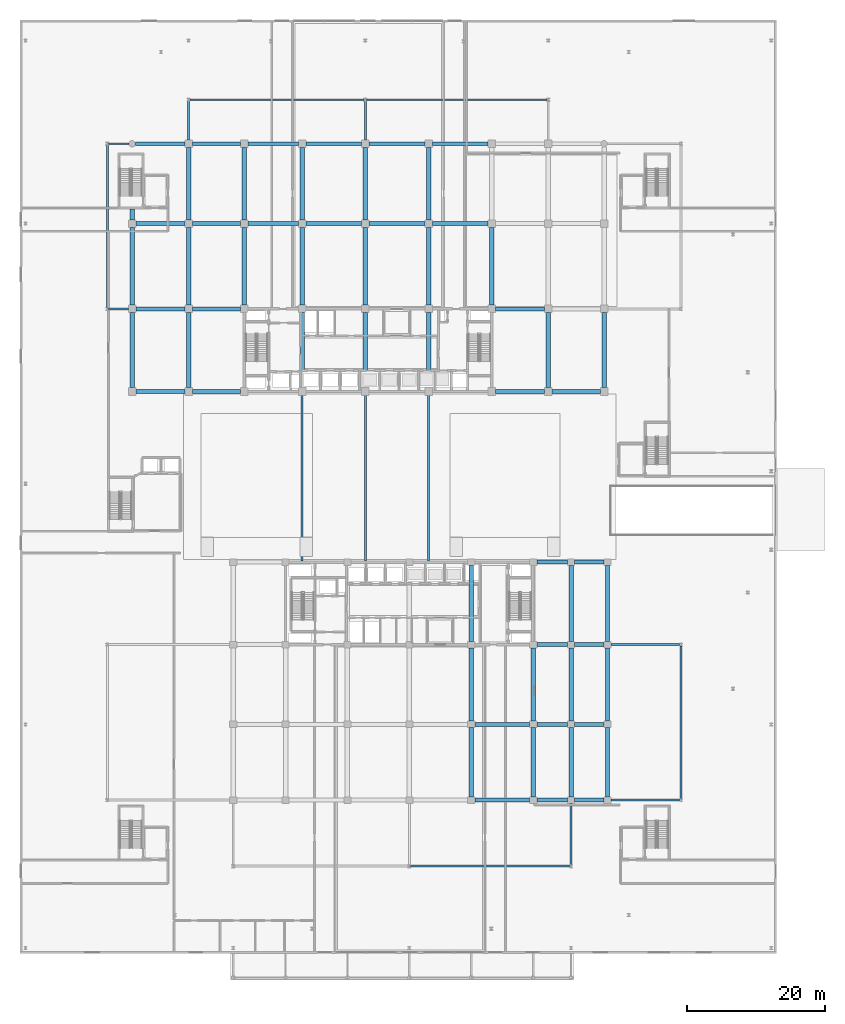
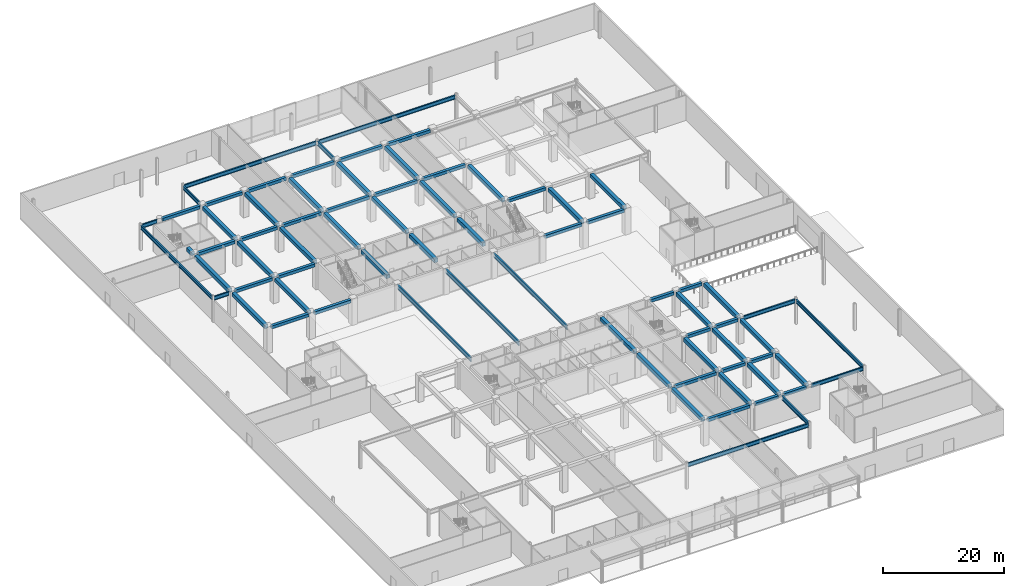
# One storey, part 15 of 46: 75 beams.
"""IFC4 building model written with IfcOpenShell, lengths in metres."""

import ifcopenshell
import ifcopenshell.guid

model = None  # the IFC model being written
_history = None  # IfcOwnerHistory: only IFC2X3 demands one
_inside = {}  # id of a spatial element -> (the spatial element, [elements in it])
_under = {}  # id of a project, library or spatial element -> (it, [spatial elements below it])
_declared = {}  # id of a project -> (the project, [libraries it declares])
_typed = {}  # id of a type object -> (the type object, [elements of that type])
_made_of = {}  # id of a material, layer set ... -> (it, [elements and type objects made of it])


def new_model(schema):
    """Start an empty IFC model of exactly this schema.

    Asked for "IFC4X3", IfcOpenShell would pick the latest addendum, in which some entities
    have other attributes; the version numbers below select the first issue.
    IFC2X3 requires an IfcOwnerHistory on every rooted entity: one is made here for all.
    """
    global model, _history
    if schema == "IFC4X3":
        model = ifcopenshell.file(schema_version=(4, 3, 0, 0))
    else:
        model = ifcopenshell.file(schema=schema)
    _inside.clear()
    _under.clear()
    _declared.clear()
    _typed.clear()
    _made_of.clear()
    _history = None
    if model.schema == "IFC2X3":
        org = make("IfcOrganization", Name="unknown")
        user = make(
            "IfcPersonAndOrganization",
            ThePerson=make("IfcPerson", FamilyName="unknown"),
            TheOrganization=org,
        )
        app = make(
            "IfcApplication",
            ApplicationDeveloper=org,
            Version="unknown",
            ApplicationFullName="unknown",
            ApplicationIdentifier="unknown",
        )
        _history = make(
            "IfcOwnerHistory",
            OwningUser=user,
            OwningApplication=app,
            ChangeAction="ADDED",
            CreationDate=0,
        )
    return model


def make(cls, **values):
    """One entity of the class cls with the attributes given. An attribute that is None is left unset."""
    return model.create_entity(
        cls, **{name: value for name, value in values.items() if value is not None}
    )


def rooted(cls, **values):
    """An entity with a GlobalId (a new one), such as an element, a storey or a relation."""
    return make(cls, GlobalId=ifcopenshell.guid.new(), OwnerHistory=_history, **values)


def si_unit(unit_type, name, prefix=None):
    """IfcSIUnit, for example si_unit("LENGTHUNIT", "METRE", prefix="MILLI")."""
    return make("IfcSIUnit", UnitType=unit_type, Prefix=prefix, Name=name)


def assignment(units):
    """IfcUnitAssignment: the units of a project."""
    return None if units is None else make("IfcUnitAssignment", Units=units)


def point(xyz):
    """IfcCartesianPoint."""
    return None if xyz is None else make("IfcCartesianPoint", Coordinates=xyz)


def direction(xyz):
    """IfcDirection."""
    return None if xyz is None else make("IfcDirection", DirectionRatios=xyz)


def frame(location, z_axis=None, x_axis=None):
    """IfcAxis2Placement3D, a coordinate frame: its origin and axes. An axis left out is left unset."""
    return make(
        "IfcAxis2Placement3D",
        Location=point(location),
        Axis=direction(z_axis),
        RefDirection=direction(x_axis),
    )


def frame_2d(location, x_axis=None):
    """IfcAxis2Placement2D, a coordinate frame in the plane: its origin and x axis."""
    return make(
        "IfcAxis2Placement2D", Location=point(location), RefDirection=direction(x_axis)
    )


def origin():
    """The frame at (0, 0, 0) with its axes left unset."""
    return frame((0.0, 0.0, 0.0))


def origin_2d():
    """The frame at (0, 0) in the plane with its x axis left unset."""
    return frame_2d((0.0, 0.0))


def place(relative_to, where):
    """IfcLocalPlacement: puts the frame where relative to a parent placement (None: the world)."""
    return make(
        "IfcLocalPlacement", PlacementRelTo=relative_to, RelativePlacement=where
    )


def context(
    kind, dimensions, precision=None, world=None, true_north=None, identifier=None
):
    """IfcGeometricRepresentationContext, for example the 3D "Model" context."""
    return make(
        "IfcGeometricRepresentationContext",
        ContextIdentifier=identifier,
        ContextType=kind,
        CoordinateSpaceDimension=dimensions,
        Precision=precision,
        WorldCoordinateSystem=world,
        TrueNorth=true_north,
    )


def subcontext(parent, identifier, kind, view, scale=None):
    """IfcGeometricRepresentationSubContext, for example "Body" below "Model"."""
    return make(
        "IfcGeometricRepresentationSubContext",
        ContextIdentifier=identifier,
        ContextType=kind,
        ParentContext=parent,
        TargetScale=scale,
        TargetView=view,
    )


def project(units=None, contexts=None):
    """IfcProject with its units and contexts."""
    return rooted(
        "IfcProject",
        Name="project",
        RepresentationContexts=contexts,
        UnitsInContext=assignment(units),
    )


def spatial(cls, under=None, at=None, **own):
    """A site, building, storey or space (cls), placed at a placement, below another one or the project."""
    s = rooted(cls, ObjectPlacement=at, **own)
    if under is not None:
        _under.setdefault(under.id(), (under, []))[1].append(s)
    return s


def profile(cls, at=None, kind="AREA", **sizes):
    """A parametric profile (cls). Its sizes go by their IFC names, for example OverallWidth=200.0."""
    return make(cls, ProfileType=kind, Position=at, **sizes)


def rectangle(**sizes):
    """IfcRectangleProfileDef."""
    return profile("IfcRectangleProfileDef", **sizes)


def i_section(**sizes):
    """IfcIShapeProfileDef."""
    return profile("IfcIShapeProfileDef", **sizes)


def extrude(swept, where, along, depth):
    """IfcExtrudedAreaSolid: the profile swept, set in the frame where, extruded along a direction by depth."""
    return make(
        "IfcExtrudedAreaSolid",
        SweptArea=swept,
        Position=where,
        ExtrudedDirection=direction(along),
        Depth=depth,
    )


def shape(context_of_items, identifier, shape_type, items):
    """IfcShapeRepresentation: the items that make up one representation, for example the "Body"."""
    return make(
        "IfcShapeRepresentation",
        ContextOfItems=context_of_items,
        RepresentationIdentifier=identifier,
        RepresentationType=shape_type,
        Items=items,
    )


def material(Name=None, Category=None):
    """IfcMaterial."""
    return make("IfcMaterial", Name=Name, Category=Category)


def material_profile(
    of_material, cross_section, Name=None, Category=None, Priority=None
):
    """IfcMaterialProfile: a cross section and its material."""
    return make(
        "IfcMaterialProfile",
        Name=Name,
        Material=of_material,
        Profile=cross_section,
        Priority=Priority,
        Category=Category,
    )


def profile_set(profiles, Name=None, composite=None):
    """IfcMaterialProfileSet."""
    return make(
        "IfcMaterialProfileSet",
        Name=Name,
        MaterialProfiles=profiles,
        CompositeProfile=composite,
    )


def made_of(thing, what):
    """Note that an element or type object is made of a material, layer set ...; save() writes the relation."""
    if what is not None:
        _made_of.setdefault(what.id(), (what, []))[1].append(thing)
    return thing


def type_object(cls, material=None, **own):
    """A type object (cls), such as IfcWallType, which elements share."""
    return made_of(rooted(cls, **own), material)


def element(
    cls,
    number,
    at=None,
    inside=None,
    cuts=None,
    type_object=None,
    material=None,
    context=None,
    identifier="Body",
    shape_type=None,
    held_by="IfcProductDefinitionShape",
    body=None,
    shapes=None,
    **own,
):
    """One element of the class cls, such as IfcWall. Its Tag is "e" and its number.

    at: its placement. inside: the storey or other place that contains it. cuts: it is an
    opening in that element (IfcRelVoidsElement). A single representation is given by context,
    identifier, shape_type and body (its items); several are given by shapes. held_by: the class
    of the entity that holds the representations. save() writes the other relations.
    """
    e = rooted(cls, Tag="e%d" % number, ObjectPlacement=at, **own)
    if body is not None:
        shapes = [shape(context, identifier, shape_type, body)]
    if shapes is not None:
        e.Representation = make(held_by, Representations=shapes)
    if inside is not None:
        _inside.setdefault(inside.id(), (inside, []))[1].append(e)
    if cuts is not None:
        rooted(
            "IfcRelVoidsElement", RelatingBuildingElement=cuts, RelatedOpeningElement=e
        )
    if type_object is not None:
        _typed.setdefault(type_object.id(), (type_object, []))[1].append(e)
    return made_of(e, material)


def aggregate(whole, parts):
    """IfcRelAggregates: a whole, such as a stair, and the parts it consists of."""
    return rooted("IfcRelAggregates", RelatingObject=whole, RelatedObjects=parts)


def save(model, path):
    """Write the relations noted so far, then the file.

    IfcRelAggregates (storeys below a building ...), IfcRelContainedInSpatialStructure (elements
    in a storey), IfcRelDefinesByType, IfcRelAssociatesMaterial and IfcRelDeclares: one each for
    every whole, place, type object, material and project.
    """
    for whole, parts in _under.values():
        aggregate(whole, parts)
    for where, things in _inside.values():
        rooted(
            "IfcRelContainedInSpatialStructure",
            RelatedElements=things,
            RelatingStructure=where,
        )
    for kind, things in _typed.values():
        rooted("IfcRelDefinesByType", RelatedObjects=things, RelatingType=kind)
    for what, things in _made_of.values():
        rooted("IfcRelAssociatesMaterial", RelatedObjects=things, RelatingMaterial=what)
    for by, libraries in _declared.values():
        rooted("IfcRelDeclares", RelatingContext=by, RelatedDefinitions=libraries)
    model.write(path)


model = new_model("IFC4")

# Units and contexts
model_context = context("Model", 3, precision=1e-05, world=origin(), true_north=direction((0.0, 1.0)))
body_context = subcontext(model_context, "Body", "Model", "MODEL_VIEW")
ifc_project = project(units=[si_unit("LENGTHUNIT", "METRE"), si_unit("AREAUNIT", "SQUARE_METRE"), si_unit("VOLUMEUNIT", "CUBIC_METRE"), si_unit("PLANEANGLEUNIT", "RADIAN"), si_unit("MASSUNIT", "GRAM", prefix="KILO")], contexts=[model_context])

# Site, building, storey
site_placement = place(None, origin())
site = spatial("IfcSite", under=ifc_project, at=site_placement, CompositionType="ELEMENT")
building_placement = place(site_placement, origin())
building = spatial("IfcBuilding", under=site, at=building_placement, Name="Korimba Cascade Residences", CompositionType="ELEMENT")
storey_placement = place(building_placement, origin())
storey = spatial("IfcBuildingStorey", under=building, at=storey_placement, Name="L00", CompositionType="ELEMENT", Elevation=0.0)

# Beams
ifc_material_1 = material(Name="Concrete C50/60", Category="concrete")
ifc_material_profile_1 = material_profile(ifc_material_1, rectangle(XDim=0.550048828125, YDim=0.60009765625, at=origin_2d()), Name="Concrete C50/60")
ifc_profile_set_1 = profile_set([ifc_material_profile_1], Name="Concrete C50/60")
beam_type_1 = type_object("IfcBeamType", Name="BM-RC-B600", PredefinedType="BEAM", material=ifc_profile_set_1)
beam_1_placement = place(storey_placement, frame((60.35009765625, 55.199951171875, 4.800048828125), z_axis=(1.0, 0.0, 0.0), x_axis=(0.0, 1.0, 0.0)))
element("IfcBeam", 1, at=beam_1_placement, inside=storey, type_object=beam_type_1, Name="L00 T1 E-W Girder Y1 Bay 1", PredefinedType="BEAM", context=body_context, shape_type="SweptSolid", body=[
    extrude(rectangle(XDim=0.550048828125, YDim=0.60009765625, at=origin_2d()), origin(), (0.0, 0.0, 1.0), 7.099853515625),
])
beam_2_placement = place(storey_placement, frame((68.550048828125, 55.199951171875, 4.800048828125), z_axis=(1.0, 0.0, 0.0), x_axis=(0.0, 1.0, 0.0)))
element("IfcBeam", 2, at=beam_2_placement, inside=storey, type_object=beam_type_1, Name="L00 T1 E-W Girder Y1 Bay 2", PredefinedType="BEAM", context=body_context, shape_type="SweptSolid", body=[
    extrude(rectangle(XDim=0.550048828125, YDim=0.60009765625, at=origin_2d()), origin(), (0.0, 0.0, 1.0), 7.0),
])
beam_3_placement = place(storey_placement, frame((112.64990234375, 55.199951171875, 4.800048828125), z_axis=(1.0, 0.0, 0.0), x_axis=(0.0, 1.0, 0.0)))
element("IfcBeam", 3, at=beam_3_placement, inside=storey, type_object=beam_type_1, Name="L00 T1 E-W Girder Y1 Bay 7", PredefinedType="BEAM", context=body_context, shape_type="SweptSolid", body=[
    extrude(rectangle(XDim=0.550048828125, YDim=0.60009765625, at=origin_2d()), origin(), (0.0, 0.0, 1.0), 7.10009765625),
])
beam_4_placement = place(storey_placement, frame((120.85009765625, 55.199951171875, 4.800048828125), z_axis=(1.0, 0.0, 0.0), x_axis=(0.0, 1.0, 0.0)))
element("IfcBeam", 4, at=beam_4_placement, inside=storey, type_object=beam_type_1, Name="L00 T1 E-W Girder Y1 Bay 8", PredefinedType="BEAM", context=body_context, shape_type="SweptSolid", body=[
    extrude(rectangle(XDim=0.550048828125, YDim=0.60009765625, at=origin_2d()), origin(), (0.0, 0.0, 1.0), 7.0),
])
beam_5_placement = place(storey_placement, frame((60.35009765625, 67.199951171875, 4.800048828125), z_axis=(1.0, 0.0, 0.0), x_axis=(0.0, 1.0, 0.0)))
element("IfcBeam", 5, at=beam_5_placement, inside=storey, type_object=beam_type_1, Name="L00 T1 E-W Girder Y2 Bay 1", PredefinedType="BEAM", context=body_context, shape_type="SweptSolid", body=[
    extrude(rectangle(XDim=0.550048828125, YDim=0.60009765625, at=origin_2d()), origin(), (0.0, 0.0, 1.0), 7.099853515625),
])
beam_6_placement = place(storey_placement, frame((68.550048828125, 67.199951171875, 4.800048828125), z_axis=(1.0, 0.0, 0.0), x_axis=(0.0, 1.0, 0.0)))
element("IfcBeam", 6, at=beam_6_placement, inside=storey, type_object=beam_type_1, Name="L00 T1 E-W Girder Y2 Bay 2", PredefinedType="BEAM", context=body_context, shape_type="SweptSolid", body=[
    extrude(rectangle(XDim=0.550048828125, YDim=0.60009765625, at=origin_2d()), origin(), (0.0, 0.0, 1.0), 7.0),
])
beam_7_placement = place(storey_placement, frame((112.64990234375, 67.199951171875, 4.800048828125), z_axis=(1.0, 0.0, 0.0), x_axis=(0.0, 1.0, 0.0)))
element("IfcBeam", 7, at=beam_7_placement, inside=storey, type_object=beam_type_1, Name="L00 T1 E-W Girder Y2 Bay 7", PredefinedType="BEAM", context=body_context, shape_type="SweptSolid", body=[
    extrude(rectangle(XDim=0.550048828125, YDim=0.60009765625, at=origin_2d()), origin(), (0.0, 0.0, 1.0), 7.10009765625),
])
beam_8_placement = place(storey_placement, frame((60.35009765625, 79.60009765625, 4.800048828125), z_axis=(1.0, 0.0, 0.0), x_axis=(0.0, 1.0, 0.0)))
element("IfcBeam", 8, at=beam_8_placement, inside=storey, type_object=beam_type_1, Name="L00 T1 E-W Girder Y3 Bay 1", PredefinedType="BEAM", context=body_context, shape_type="SweptSolid", body=[
    extrude(rectangle(XDim=0.550048828125, YDim=0.60009765625, at=origin_2d()), origin(), (0.0, 0.0, 1.0), 7.099853515625),
])
beam_9_placement = place(storey_placement, frame((68.550048828125, 79.60009765625, 4.800048828125), z_axis=(1.0, 0.0, 0.0), x_axis=(0.0, 1.0, 0.0)))
element("IfcBeam", 9, at=beam_9_placement, inside=storey, type_object=beam_type_1, Name="L00 T1 E-W Girder Y3 Bay 2", PredefinedType="BEAM", context=body_context, shape_type="SweptSolid", body=[
    extrude(rectangle(XDim=0.550048828125, YDim=0.60009765625, at=origin_2d()), origin(), (0.0, 0.0, 1.0), 7.0),
])
beam_10_placement = place(storey_placement, frame((76.64990234375, 79.60009765625, 4.800048828125), z_axis=(1.0, 0.0, 0.0), x_axis=(0.0, 1.0, 0.0)))
element("IfcBeam", 10, at=beam_10_placement, inside=storey, type_object=beam_type_1, Name="L00 T1 E-W Girder Y3 Bay 3", PredefinedType="BEAM", context=body_context, shape_type="SweptSolid", body=[
    extrude(rectangle(XDim=0.550048828125, YDim=0.60009765625, at=origin_2d()), origin(), (0.0, 0.0, 1.0), 7.300048828125),
])
beam_11_placement = place(storey_placement, frame((85.050048828125, 79.60009765625, 4.800048828125), z_axis=(1.0, 0.0, 0.0), x_axis=(0.0, 1.0, 0.0)))
element("IfcBeam", 11, at=beam_11_placement, inside=storey, type_object=beam_type_1, Name="L00 T1 E-W Girder Y3 Bay 4", PredefinedType="BEAM", context=body_context, shape_type="SweptSolid", body=[
    extrude(rectangle(XDim=0.550048828125, YDim=0.60009765625, at=origin_2d()), origin(), (0.0, 0.0, 1.0), 8.099853515625),
])
for number, where, z_axis, x_axis, name in (
    (12, (94.25, 79.60009765625, 4.800048828125), (1.0, 0.0, 0.0), (0.0, 1.0, 0.0), "L00 T1 E-W Girder Y3 Bay 5"),
    (13, (103.449951171875, 79.60009765625, 4.800048828125), (1.0, 0.0, 0.0), (0.0, 1.0, 0.0), "L00 T1 E-W Girder Y3 Bay 6"),
):
    element("IfcBeam", number, at=place(storey_placement, frame(where, z_axis=z_axis, x_axis=x_axis)), inside=storey, type_object=beam_type_1, Name=name, PredefinedType="BEAM", context=body_context, shape_type="SweptSolid", body=[
        extrude(rectangle(XDim=0.550048828125, YDim=0.60009765625, at=origin_2d()), origin(), (0.0, 0.0, 1.0), 8.10009765625),
    ])
beam_12_placement = place(storey_placement, frame((60.27490234375, 91.199951171875, 4.800048828125), z_axis=(1.0, 0.0, 0.0), x_axis=(0.0, 1.0, 0.0)))
element("IfcBeam", 14, at=beam_12_placement, inside=storey, type_object=beam_type_1, Name="L00 T1 E-W Girder Y4 Bay 1", PredefinedType="BEAM", context=body_context, shape_type="SweptSolid", body=[
    extrude(rectangle(XDim=0.550048828125, YDim=0.60009765625, at=origin_2d()), origin(), (0.0, 0.0, 1.0), 7.175048828125),
])
beam_13_placement = place(storey_placement, frame((68.550048828125, 91.199951171875, 4.800048828125), z_axis=(1.0, 0.0, 0.0), x_axis=(0.0, 1.0, 0.0)))
element("IfcBeam", 15, at=beam_13_placement, inside=storey, type_object=beam_type_1, Name="L00 T1 E-W Girder Y4 Bay 2", PredefinedType="BEAM", context=body_context, shape_type="SweptSolid", body=[
    extrude(rectangle(XDim=0.550048828125, YDim=0.60009765625, at=origin_2d()), origin(), (0.0, 0.0, 1.0), 7.0),
])
beam_14_placement = place(storey_placement, frame((76.64990234375, 91.199951171875, 4.800048828125), z_axis=(1.0, 0.0, 0.0), x_axis=(0.0, 1.0, 0.0)))
element("IfcBeam", 16, at=beam_14_placement, inside=storey, type_object=beam_type_1, Name="L00 T1 E-W Girder Y4 Bay 3", PredefinedType="BEAM", context=body_context, shape_type="SweptSolid", body=[
    extrude(rectangle(XDim=0.550048828125, YDim=0.60009765625, at=origin_2d()), origin(), (0.0, 0.0, 1.0), 7.300048828125),
])
beam_15_placement = place(storey_placement, frame((85.050048828125, 91.199951171875, 4.800048828125), z_axis=(1.0, 0.0, 0.0), x_axis=(0.0, 1.0, 0.0)))
element("IfcBeam", 17, at=beam_15_placement, inside=storey, type_object=beam_type_1, Name="L00 T1 E-W Girder Y4 Bay 4", PredefinedType="BEAM", context=body_context, shape_type="SweptSolid", body=[
    extrude(rectangle(XDim=0.550048828125, YDim=0.60009765625, at=origin_2d()), origin(), (0.0, 0.0, 1.0), 8.099853515625),
])
for number, where, z_axis, x_axis, name in (
    (18, (94.25, 91.199951171875, 4.800048828125), (1.0, 0.0, 0.0), (0.0, 1.0, 0.0), "L00 T1 E-W Girder Y4 Bay 5"),
    (19, (103.449951171875, 91.199951171875, 4.800048828125), (1.0, 0.0, 0.0), (0.0, 1.0, 0.0), "L00 T1 E-W Girder Y4 Bay 6"),
):
    element("IfcBeam", number, at=place(storey_placement, frame(where, z_axis=z_axis, x_axis=x_axis)), inside=storey, type_object=beam_type_1, Name=name, PredefinedType="BEAM", context=body_context, shape_type="SweptSolid", body=[
        extrude(rectangle(XDim=0.550048828125, YDim=0.60009765625, at=origin_2d()), origin(), (0.0, 0.0, 1.0), 8.10009765625),
    ])
beam_16_placement = place(storey_placement, frame((109.625, -4.199951171875, 4.800048828125), z_axis=(1.0, 0.0, 0.0), x_axis=(0.0, 1.0, 0.0)))
element("IfcBeam", 20, at=beam_16_placement, inside=storey, type_object=beam_type_1, Name="L00 T2 E-W Girder Y1 Bay 5", PredefinedType="BEAM", context=body_context, shape_type="SweptSolid", body=[
    extrude(rectangle(XDim=0.550048828125, YDim=0.60009765625, at=origin_2d()), origin(), (0.0, 0.0, 1.0), 7.949951171875),
])
beam_17_placement = place(storey_placement, frame((118.625, -4.199951171875, 4.800048828125), z_axis=(1.0, 0.0, 0.0), x_axis=(0.0, 1.0, 0.0)))
element("IfcBeam", 21, at=beam_17_placement, inside=storey, type_object=beam_type_1, Name="L00 T2 E-W Girder Y1 Bay 6", PredefinedType="BEAM", context=body_context, shape_type="SweptSolid", body=[
    extrude(rectangle(XDim=0.550048828125, YDim=0.60009765625, at=origin_2d()), origin(), (0.0, 0.0, 1.0), 4.449951171875),
])
beam_18_placement = place(storey_placement, frame((124.125, -4.199951171875, 4.800048828125), z_axis=(1.0, 0.0, 0.0), x_axis=(0.0, 1.0, 0.0)))
element("IfcBeam", 22, at=beam_18_placement, inside=storey, type_object=beam_type_1, Name="L00 T2 E-W Girder Y1 Bay 7", PredefinedType="BEAM", context=body_context, shape_type="SweptSolid", body=[
    extrude(rectangle(XDim=0.550048828125, YDim=0.60009765625, at=origin_2d()), origin(), (0.0, 0.0, 1.0), 4.25),
])
beam_19_placement = place(storey_placement, frame((109.625, 6.800048828125, 4.800048828125), z_axis=(1.0, 0.0, 0.0), x_axis=(0.0, 1.0, 0.0)))
element("IfcBeam", 23, at=beam_19_placement, inside=storey, type_object=beam_type_1, Name="L00 T2 E-W Girder Y2 Bay 5", PredefinedType="BEAM", context=body_context, shape_type="SweptSolid", body=[
    extrude(rectangle(XDim=0.550048828125, YDim=0.60009765625, at=origin_2d()), origin(), (0.0, 0.0, 1.0), 7.949951171875),
])
beam_20_placement = place(storey_placement, frame((118.625, 6.800048828125, 4.800048828125), z_axis=(1.0, 0.0, 0.0), x_axis=(0.0, 1.0, 0.0)))
element("IfcBeam", 24, at=beam_20_placement, inside=storey, type_object=beam_type_1, Name="L00 T2 E-W Girder Y2 Bay 6", PredefinedType="BEAM", context=body_context, shape_type="SweptSolid", body=[
    extrude(rectangle(XDim=0.550048828125, YDim=0.60009765625, at=origin_2d()), origin(), (0.0, 0.0, 1.0), 4.449951171875),
])
beam_21_placement = place(storey_placement, frame((124.125, 6.800048828125, 4.800048828125), z_axis=(1.0, 0.0, 0.0), x_axis=(0.0, 1.0, 0.0)))
element("IfcBeam", 25, at=beam_21_placement, inside=storey, type_object=beam_type_1, Name="L00 T2 E-W Girder Y2 Bay 7", PredefinedType="BEAM", context=body_context, shape_type="SweptSolid", body=[
    extrude(rectangle(XDim=0.550048828125, YDim=0.60009765625, at=origin_2d()), origin(), (0.0, 0.0, 1.0), 4.25),
])
beam_22_placement = place(storey_placement, frame((118.625, 18.39990234375, 4.800048828125), z_axis=(1.0, 0.0, 0.0), x_axis=(0.0, 1.0, 0.0)))
element("IfcBeam", 26, at=beam_22_placement, inside=storey, type_object=beam_type_1, Name="L00 T2 E-W Girder Y3 Bay 6", PredefinedType="BEAM", context=body_context, shape_type="SweptSolid", body=[
    extrude(rectangle(XDim=0.550048828125, YDim=0.60009765625, at=origin_2d()), origin(), (0.0, 0.0, 1.0), 4.449951171875),
])
beam_23_placement = place(storey_placement, frame((124.125, 18.39990234375, 4.800048828125), z_axis=(1.0, 0.0, 0.0), x_axis=(0.0, 1.0, 0.0)))
element("IfcBeam", 27, at=beam_23_placement, inside=storey, type_object=beam_type_1, Name="L00 T2 E-W Girder Y3 Bay 7", PredefinedType="BEAM", context=body_context, shape_type="SweptSolid", body=[
    extrude(rectangle(XDim=0.550048828125, YDim=0.60009765625, at=origin_2d()), origin(), (0.0, 0.0, 1.0), 4.25),
])
beam_24_placement = place(storey_placement, frame((118.625, 30.39990234375, 4.800048828125), z_axis=(1.0, 0.0, 0.0), x_axis=(0.0, 1.0, 0.0)))
element("IfcBeam", 28, at=beam_24_placement, inside=storey, type_object=beam_type_1, Name="L00 T2 E-W Girder Y4 Bay 6", PredefinedType="BEAM", context=body_context, shape_type="SweptSolid", body=[
    extrude(rectangle(XDim=0.550048828125, YDim=0.60009765625, at=origin_2d()), origin(), (0.0, 0.0, 1.0), 4.449951171875),
])
beam_25_placement = place(storey_placement, frame((124.125, 30.39990234375, 4.800048828125), z_axis=(1.0, 0.0, 0.0), x_axis=(0.0, 1.0, 0.0)))
element("IfcBeam", 29, at=beam_25_placement, inside=storey, type_object=beam_type_1, Name="L00 T2 E-W Girder Y4 Bay 7", PredefinedType="BEAM", context=body_context, shape_type="SweptSolid", body=[
    extrude(rectangle(XDim=0.550048828125, YDim=0.60009765625, at=origin_2d()), origin(), (0.0, 0.0, 1.0), 4.25),
])
ifc_material_profile_2 = material_profile(ifc_material_1, rectangle(XDim=0.64990234375, YDim=0.75, at=origin_2d()), Name="Concrete C50/60")
ifc_profile_set_2 = profile_set([ifc_material_profile_2], Name="Concrete C50/60")
beam_type_2 = type_object("IfcBeamType", Name="BM-RC-G750", PredefinedType="BEAM", material=ifc_profile_set_2)
beam_26_placement = place(storey_placement, frame((59.800048828125, 55.75, 4.72509765625), z_axis=(0.0, 1.0, 0.0), x_axis=(-1.0, 0.0, 0.0)))
element("IfcBeam", 30, at=beam_26_placement, inside=storey, type_object=beam_type_2, Name="L00 T1 N-S Girder X1 Seg 1", PredefinedType="BEAM", context=body_context, shape_type="SweptSolid", body=[
    extrude(rectangle(XDim=0.64990234375, YDim=0.75, at=origin_2d()), origin(), (0.0, 0.0, 1.0), 10.89990234375),
])
beam_27_placement = place(storey_placement, frame((59.800048828125, 67.75, 4.72509765625), z_axis=(0.0, 1.0, 0.0), x_axis=(-1.0, 0.0, 0.0)))
element("IfcBeam", 31, at=beam_27_placement, inside=storey, type_object=beam_type_2, Name="L00 T1 N-S Girder X1 Seg 2", PredefinedType="BEAM", context=body_context, shape_type="SweptSolid", body=[
    extrude(rectangle(XDim=0.64990234375, YDim=0.75, at=origin_2d()), origin(), (0.0, 0.0, 1.0), 11.300048828125),
])
beam_28_placement = place(storey_placement, frame((59.800048828125, 80.14990234375, 4.72509765625), z_axis=(0.0, 1.0, 0.0), x_axis=(-1.0, 0.0, 0.0)))
element("IfcBeam", 32, at=beam_28_placement, inside=storey, type_object=beam_type_2, Name="L00 T1 N-S Girder X1 Seg 3", PredefinedType="BEAM", context=body_context, shape_type="SweptSolid", body=[
    extrude(rectangle(XDim=0.64990234375, YDim=0.75, at=origin_2d()), origin(), (0.0, 0.0, 1.0), 1.550048828125),
])
beam_29_placement = place(storey_placement, frame((68.0, 55.75, 4.72509765625), z_axis=(0.0, 1.0, 0.0), x_axis=(-1.0, 0.0, 0.0)))
element("IfcBeam", 33, at=beam_29_placement, inside=storey, type_object=beam_type_2, Name="L00 T1 N-S Girder X2 Seg 1", PredefinedType="BEAM", context=body_context, shape_type="SweptSolid", body=[
    extrude(rectangle(XDim=0.64990234375, YDim=0.75, at=origin_2d()), origin(), (0.0, 0.0, 1.0), 10.89990234375),
])
beam_30_placement = place(storey_placement, frame((68.0, 67.75, 4.72509765625), z_axis=(0.0, 1.0, 0.0), x_axis=(-1.0, 0.0, 0.0)))
element("IfcBeam", 34, at=beam_30_placement, inside=storey, type_object=beam_type_2, Name="L00 T1 N-S Girder X2 Seg 2", PredefinedType="BEAM", context=body_context, shape_type="SweptSolid", body=[
    extrude(rectangle(XDim=0.64990234375, YDim=0.75, at=origin_2d()), origin(), (0.0, 0.0, 1.0), 11.300048828125),
])
beam_31_placement = place(storey_placement, frame((68.0, 80.14990234375, 4.72509765625), z_axis=(0.0, 1.0, 0.0), x_axis=(-1.0, 0.0, 0.0)))
element("IfcBeam", 35, at=beam_31_placement, inside=storey, type_object=beam_type_2, Name="L00 T1 N-S Girder X2 Seg 3", PredefinedType="BEAM", context=body_context, shape_type="SweptSolid", body=[
    extrude(rectangle(XDim=0.64990234375, YDim=0.75, at=origin_2d()), origin(), (0.0, 0.0, 1.0), 10.5),
])
beam_32_placement = place(storey_placement, frame((76.10009765625, 67.75, 4.72509765625), z_axis=(0.0, 1.0, 0.0), x_axis=(-1.0, 0.0, 0.0)))
element("IfcBeam", 36, at=beam_32_placement, inside=storey, type_object=beam_type_2, Name="L00 T1 N-S Girder X3 Seg 2", PredefinedType="BEAM", context=body_context, shape_type="SweptSolid", body=[
    extrude(rectangle(XDim=0.64990234375, YDim=0.75, at=origin_2d()), origin(), (0.0, 0.0, 1.0), 11.300048828125),
])
beam_33_placement = place(storey_placement, frame((76.10009765625, 80.14990234375, 4.72509765625), z_axis=(0.0, 1.0, 0.0), x_axis=(-1.0, 0.0, 0.0)))
element("IfcBeam", 37, at=beam_33_placement, inside=storey, type_object=beam_type_2, Name="L00 T1 N-S Girder X3 Seg 3", PredefinedType="BEAM", context=body_context, shape_type="SweptSolid", body=[
    extrude(rectangle(XDim=0.64990234375, YDim=0.75, at=origin_2d()), origin(), (0.0, 0.0, 1.0), 10.5),
])
beam_34_placement = place(storey_placement, frame((84.5, 58.159912109375, 4.72509765625), z_axis=(0.0, 1.0, 0.0), x_axis=(-1.0, 0.0, 0.0)))
element("IfcBeam", 38, at=beam_34_placement, inside=storey, type_object=beam_type_2, Name="L00 T1 N-S Girder X4 Seg 1", PredefinedType="BEAM", context=body_context, shape_type="SweptSolid", body=[
    extrude(rectangle(XDim=0.64990234375, YDim=0.75, at=origin_2d()), origin(), (0.0, 0.0, 1.0), 8.489990234375),
])
beam_35_placement = place(storey_placement, frame((84.5, 67.75, 4.72509765625), z_axis=(0.0, 1.0, 0.0), x_axis=(-1.0, 0.0, 0.0)))
element("IfcBeam", 39, at=beam_35_placement, inside=storey, type_object=beam_type_2, Name="L00 T1 N-S Girder X4 Seg 2", PredefinedType="BEAM", context=body_context, shape_type="SweptSolid", body=[
    extrude(rectangle(XDim=0.64990234375, YDim=0.75, at=origin_2d()), origin(), (0.0, 0.0, 1.0), 11.300048828125),
])
beam_36_placement = place(storey_placement, frame((84.5, 80.14990234375, 4.72509765625), z_axis=(0.0, 1.0, 0.0), x_axis=(-1.0, 0.0, 0.0)))
element("IfcBeam", 40, at=beam_36_placement, inside=storey, type_object=beam_type_2, Name="L00 T1 N-S Girder X4 Seg 3", PredefinedType="BEAM", context=body_context, shape_type="SweptSolid", body=[
    extrude(rectangle(XDim=0.64990234375, YDim=0.75, at=origin_2d()), origin(), (0.0, 0.0, 1.0), 10.5),
])
beam_37_placement = place(storey_placement, frame((93.699951171875, 58.159912109375, 4.72509765625), z_axis=(0.0, 1.0, 0.0), x_axis=(-1.0, 0.0, 0.0)))
element("IfcBeam", 41, at=beam_37_placement, inside=storey, type_object=beam_type_2, Name="L00 T1 N-S Girder X5 Seg 1", PredefinedType="BEAM", context=body_context, shape_type="SweptSolid", body=[
    extrude(rectangle(XDim=0.64990234375, YDim=0.75, at=origin_2d()), origin(), (0.0, 0.0, 1.0), 8.489990234375),
])
beam_38_placement = place(storey_placement, frame((93.699951171875, 67.75, 4.72509765625), z_axis=(0.0, 1.0, 0.0), x_axis=(-1.0, 0.0, 0.0)))
element("IfcBeam", 42, at=beam_38_placement, inside=storey, type_object=beam_type_2, Name="L00 T1 N-S Girder X5 Seg 2", PredefinedType="BEAM", context=body_context, shape_type="SweptSolid", body=[
    extrude(rectangle(XDim=0.64990234375, YDim=0.75, at=origin_2d()), origin(), (0.0, 0.0, 1.0), 11.300048828125),
])
beam_39_placement = place(storey_placement, frame((93.699951171875, 80.14990234375, 4.72509765625), z_axis=(0.0, 1.0, 0.0), x_axis=(-1.0, 0.0, 0.0)))
element("IfcBeam", 43, at=beam_39_placement, inside=storey, type_object=beam_type_2, Name="L00 T1 N-S Girder X5 Seg 3", PredefinedType="BEAM", context=body_context, shape_type="SweptSolid", body=[
    extrude(rectangle(XDim=0.64990234375, YDim=0.75, at=origin_2d()), origin(), (0.0, 0.0, 1.0), 10.5),
])
beam_40_placement = place(storey_placement, frame((102.89990234375, 58.260009765625, 4.72509765625), z_axis=(0.0, 1.0, 0.0), x_axis=(-1.0, 0.0, 0.0)))
element("IfcBeam", 44, at=beam_40_placement, inside=storey, type_object=beam_type_2, Name="L00 T1 N-S Girder X6 Seg 1", PredefinedType="BEAM", context=body_context, shape_type="SweptSolid", body=[
    extrude(rectangle(XDim=0.64990234375, YDim=0.75, at=origin_2d()), origin(), (0.0, 0.0, 1.0), 8.389892578125),
])
beam_41_placement = place(storey_placement, frame((102.89990234375, 67.75, 4.72509765625), z_axis=(0.0, 1.0, 0.0), x_axis=(-1.0, 0.0, 0.0)))
element("IfcBeam", 45, at=beam_41_placement, inside=storey, type_object=beam_type_2, Name="L00 T1 N-S Girder X6 Seg 2", PredefinedType="BEAM", context=body_context, shape_type="SweptSolid", body=[
    extrude(rectangle(XDim=0.64990234375, YDim=0.75, at=origin_2d()), origin(), (0.0, 0.0, 1.0), 11.300048828125),
])
beam_42_placement = place(storey_placement, frame((102.89990234375, 80.14990234375, 4.72509765625), z_axis=(0.0, 1.0, 0.0), x_axis=(-1.0, 0.0, 0.0)))
element("IfcBeam", 46, at=beam_42_placement, inside=storey, type_object=beam_type_2, Name="L00 T1 N-S Girder X6 Seg 3", PredefinedType="BEAM", context=body_context, shape_type="SweptSolid", body=[
    extrude(rectangle(XDim=0.64990234375, YDim=0.75, at=origin_2d()), origin(), (0.0, 0.0, 1.0), 10.5),
])
beam_43_placement = place(storey_placement, frame((112.10009765625, 67.75, 4.72509765625), z_axis=(0.0, 1.0, 0.0), x_axis=(-1.0, 0.0, 0.0)))
element("IfcBeam", 47, at=beam_43_placement, inside=storey, type_object=beam_type_2, Name="L00 T1 N-S Girder X7 Seg 2", PredefinedType="BEAM", context=body_context, shape_type="SweptSolid", body=[
    extrude(rectangle(XDim=0.64990234375, YDim=0.75, at=origin_2d()), origin(), (0.0, 0.0, 1.0), 11.300048828125),
])
for number, where, z_axis, x_axis, name in (
    (48, (120.300048828125, 55.75, 4.72509765625), (0.0, 1.0, 0.0), (-1.0, 0.0, 0.0), "L00 T1 N-S Girder X8 Seg 1"),
    (49, (128.39990234375, 55.75, 4.72509765625), (0.0, 1.0, 0.0), (-1.0, 0.0, 0.0), "L00 T1 N-S Girder X9 Seg 1"),
):
    element("IfcBeam", number, at=place(storey_placement, frame(where, z_axis=z_axis, x_axis=x_axis)), inside=storey, type_object=beam_type_2, Name=name, PredefinedType="BEAM", context=body_context, shape_type="SweptSolid", body=[
        extrude(rectangle(XDim=0.64990234375, YDim=0.75, at=origin_2d()), origin(), (0.0, 0.0, 1.0), 10.89990234375),
    ])
beam_44_placement = place(storey_placement, frame((109.10009765625, -3.72509765625, 4.72509765625), z_axis=(0.0, 1.0, 0.0), x_axis=(-1.0, 0.0, 0.0)))
element("IfcBeam", 50, at=beam_44_placement, inside=storey, type_object=beam_type_2, Name="L00 T2 N-S Girder X5 Seg 1", PredefinedType="BEAM", context=body_context, shape_type="SweptSolid", body=[
    extrude(rectangle(XDim=0.64990234375, YDim=0.75, at=origin_2d()), origin(), (0.0, 0.0, 1.0), 10.050048828125),
])
beam_45_placement = place(storey_placement, frame((109.10009765625, 7.27490234375, 4.72509765625), z_axis=(0.0, 1.0, 0.0), x_axis=(-1.0, 0.0, 0.0)))
element("IfcBeam", 51, at=beam_45_placement, inside=storey, type_object=beam_type_2, Name="L00 T2 N-S Girder X5 Seg 2", PredefinedType="BEAM", context=body_context, shape_type="SweptSolid", body=[
    extrude(rectangle(XDim=0.64990234375, YDim=0.75, at=origin_2d()), origin(), (0.0, 0.0, 1.0), 10.650146484375),
])
beam_46_placement = place(storey_placement, frame((109.10009765625, 18.875, 4.72509765625), z_axis=(0.0, 1.0, 0.0), x_axis=(-1.0, 0.0, 0.0)))
element("IfcBeam", 52, at=beam_46_placement, inside=storey, type_object=beam_type_2, Name="L00 T2 N-S Girder X5 Seg 3", PredefinedType="BEAM", context=body_context, shape_type="SweptSolid", body=[
    extrude(rectangle(XDim=0.64990234375, YDim=0.75, at=origin_2d()), origin(), (0.0, 0.0, 1.0), 11.050048828125),
])
beam_47_placement = place(storey_placement, frame((118.10009765625, -3.72509765625, 4.72509765625), z_axis=(0.0, 1.0, 0.0), x_axis=(-1.0, 0.0, 0.0)))
element("IfcBeam", 53, at=beam_47_placement, inside=storey, type_object=beam_type_2, Name="L00 T2 N-S Girder X6 Seg 1", PredefinedType="BEAM", context=body_context, shape_type="SweptSolid", body=[
    extrude(rectangle(XDim=0.64990234375, YDim=0.75, at=origin_2d()), origin(), (0.0, 0.0, 1.0), 10.050048828125),
])
beam_48_placement = place(storey_placement, frame((118.10009765625, 7.27490234375, 4.72509765625), z_axis=(0.0, 1.0, 0.0), x_axis=(-1.0, 0.0, 0.0)))
element("IfcBeam", 54, at=beam_48_placement, inside=storey, type_object=beam_type_2, Name="L00 T2 N-S Girder X6 Seg 2", PredefinedType="BEAM", context=body_context, shape_type="SweptSolid", body=[
    extrude(rectangle(XDim=0.64990234375, YDim=0.75, at=origin_2d()), origin(), (0.0, 0.0, 1.0), 10.650146484375),
])
beam_49_placement = place(storey_placement, frame((123.60009765625, -3.72509765625, 4.72509765625), z_axis=(0.0, 1.0, 0.0), x_axis=(-1.0, 0.0, 0.0)))
element("IfcBeam", 55, at=beam_49_placement, inside=storey, type_object=beam_type_2, Name="L00 T2 N-S Girder X7 Seg 1", PredefinedType="BEAM", context=body_context, shape_type="SweptSolid", body=[
    extrude(rectangle(XDim=0.64990234375, YDim=0.75, at=origin_2d()), origin(), (0.0, 0.0, 1.0), 10.050048828125),
])
beam_50_placement = place(storey_placement, frame((123.60009765625, 7.27490234375, 4.72509765625), z_axis=(0.0, 1.0, 0.0), x_axis=(-1.0, 0.0, 0.0)))
element("IfcBeam", 56, at=beam_50_placement, inside=storey, type_object=beam_type_2, Name="L00 T2 N-S Girder X7 Seg 2", PredefinedType="BEAM", context=body_context, shape_type="SweptSolid", body=[
    extrude(rectangle(XDim=0.64990234375, YDim=0.75, at=origin_2d()), origin(), (0.0, 0.0, 1.0), 10.650146484375),
])
beam_51_placement = place(storey_placement, frame((123.60009765625, 18.875, 4.72509765625), z_axis=(0.0, 1.0, 0.0), x_axis=(-1.0, 0.0, 0.0)))
element("IfcBeam", 57, at=beam_51_placement, inside=storey, type_object=beam_type_2, Name="L00 T2 N-S Girder X7 Seg 3", PredefinedType="BEAM", context=body_context, shape_type="SweptSolid", body=[
    extrude(rectangle(XDim=0.64990234375, YDim=0.75, at=origin_2d()), origin(), (0.0, 0.0, 1.0), 11.050048828125),
])
beam_52_placement = place(storey_placement, frame((128.89990234375, -3.72509765625, 4.72509765625), z_axis=(0.0, 1.0, 0.0), x_axis=(-1.0, 0.0, 0.0)))
element("IfcBeam", 58, at=beam_52_placement, inside=storey, type_object=beam_type_2, Name="L00 T2 N-S Girder X8 Seg 1", PredefinedType="BEAM", context=body_context, shape_type="SweptSolid", body=[
    extrude(rectangle(XDim=0.64990234375, YDim=0.75, at=origin_2d()), origin(), (0.0, 0.0, 1.0), 10.050048828125),
])
beam_53_placement = place(storey_placement, frame((128.89990234375, 7.27490234375, 4.72509765625), z_axis=(0.0, 1.0, 0.0), x_axis=(-1.0, 0.0, 0.0)))
element("IfcBeam", 59, at=beam_53_placement, inside=storey, type_object=beam_type_2, Name="L00 T2 N-S Girder X8 Seg 2", PredefinedType="BEAM", context=body_context, shape_type="SweptSolid", body=[
    extrude(rectangle(XDim=0.64990234375, YDim=0.75, at=origin_2d()), origin(), (0.0, 0.0, 1.0), 10.650146484375),
])
beam_54_placement = place(storey_placement, frame((128.89990234375, 18.875, 4.72509765625), z_axis=(0.0, 1.0, 0.0), x_axis=(-1.0, 0.0, 0.0)))
element("IfcBeam", 60, at=beam_54_placement, inside=storey, type_object=beam_type_2, Name="L00 T2 N-S Girder X8 Seg 3", PredefinedType="BEAM", context=body_context, shape_type="SweptSolid", body=[
    extrude(rectangle(XDim=0.64990234375, YDim=0.75, at=origin_2d()), origin(), (0.0, 0.0, 1.0), 11.050048828125),
])
ifc_material_2 = material(Name="Steel S355", Category="steel")
ifc_material_profile_3 = material_profile(ifc_material_2, i_section(OverallWidth=0.26806640625, OverallDepth=0.769775390625, WebThickness=0.015625, FlangeThickness=0.025390625, FilletRadius=0.0166015625, at=origin_2d()), Name="Steel S355")
ifc_profile_set_3 = profile_set([ifc_material_profile_3], Name="Steel S355")
beam_type_3 = type_object("IfcBeamType", Name="BM-STL-UB762", PredefinedType="BEAM", material=ifc_profile_set_3)
beam_55_placement = place(storey_placement, frame((56.3994140625, 67.199951171875, 4.715087890625), z_axis=(1.0, 0.0, 0.0), x_axis=(0.0, 1.0, 0.0)))
element("IfcBeam", 61, at=beam_55_placement, inside=storey, type_object=beam_type_3, Name="L00 Podium Frame Girder W3", PredefinedType="BEAM", context=body_context, shape_type="SweptSolid", body=[
    extrude(i_section(OverallWidth=0.26806640625, OverallDepth=0.769775390625, WebThickness=0.015625, FlangeThickness=0.025390625, FilletRadius=0.0166015625, at=origin_2d()), origin(), (0.0, 0.0, 1.0), 2.8505859375),
])
beam_56_placement = place(storey_placement, frame((56.3994140625, 91.199951171875, 4.715087890625), z_axis=(1.0, 0.0, 0.0), x_axis=(0.0, 1.0, 0.0)))
element("IfcBeam", 62, at=beam_56_placement, inside=storey, type_object=beam_type_3, Name="L00 Podium Frame Girder W4", PredefinedType="BEAM", context=body_context, shape_type="SweptSolid", body=[
    extrude(i_section(OverallWidth=0.26806640625, OverallDepth=0.769775390625, WebThickness=0.015625, FlangeThickness=0.025390625, FilletRadius=0.0166015625, at=origin_2d()), origin(), (0.0, 0.0, 1.0), 2.925537109375),
])
beam_57_placement = place(storey_placement, frame((56.199951171875, 67.396728515625, 4.715087890625), z_axis=(0.0, 1.0, 0.0), x_axis=(-1.0, 0.0, 0.0)))
element("IfcBeam", 63, at=beam_57_placement, inside=storey, type_object=beam_type_3, Name="L00 Podium Frame Girder WS", PredefinedType="BEAM", context=body_context, shape_type="SweptSolid", body=[
    extrude(i_section(OverallWidth=0.26806640625, OverallDepth=0.769775390625, WebThickness=0.015625, FlangeThickness=0.025390625, FilletRadius=0.0166015625, at=origin_2d()), origin(), (0.0, 0.0, 1.0), 23.6064453125),
])
for number, where, z_axis, x_axis, name in (
    (64, (129.425048828125, -4.199951171875, 4.715087890625), (1.0, 0.0, 0.0), (0.0, 1.0, 0.0), "L00 Podium Frame Girder E1"),
    (65, (129.425048828125, 18.39990234375, 4.715087890625), (1.0, 0.0, 0.0), (0.0, 1.0, 0.0), "L00 Podium Frame Girder E2"),
):
    element("IfcBeam", number, at=place(storey_placement, frame(where, z_axis=z_axis, x_axis=x_axis)), inside=storey, type_object=beam_type_3, Name=name, PredefinedType="BEAM", context=body_context, shape_type="SweptSolid", body=[
        extrude(i_section(OverallWidth=0.26806640625, OverallDepth=0.769775390625, WebThickness=0.015625, FlangeThickness=0.025390625, FilletRadius=0.0166015625, at=origin_2d()), origin(), (0.0, 0.0, 1.0), 9.975341796875),
    ])
beam_58_placement = place(storey_placement, frame((139.60009765625, -4.003173828125, 4.715087890625), z_axis=(0.0, 1.0, 0.0), x_axis=(-1.0, 0.0, 0.0)))
element("IfcBeam", 66, at=beam_58_placement, inside=storey, type_object=beam_type_3, Name="L00 Podium Frame Girder EN", PredefinedType="BEAM", context=body_context, shape_type="SweptSolid", body=[
    extrude(i_section(OverallWidth=0.26806640625, OverallDepth=0.769775390625, WebThickness=0.015625, FlangeThickness=0.025390625, FilletRadius=0.0166015625, at=origin_2d()), origin(), (0.0, 0.0, 1.0), 22.206298828125),
])
beam_59_placement = place(storey_placement, frame((123.60009765625, -13.603271484375, 4.715087890625), z_axis=(0.0, 1.0, 0.0), x_axis=(-1.0, 0.0, 0.0)))
element("IfcBeam", 67, at=beam_59_placement, inside=storey, type_object=beam_type_3, Name="L00 Podium Frame Girder S3", PredefinedType="BEAM", context=body_context, shape_type="SweptSolid", body=[
    extrude(i_section(OverallWidth=0.26806640625, OverallDepth=0.769775390625, WebThickness=0.015625, FlangeThickness=0.025390625, FilletRadius=0.0166015625, at=origin_2d()), origin(), (0.0, 0.0, 1.0), 8.92822265625),
])
beam_60_placement = place(storey_placement, frame((100.299560546875, -13.800048828125, 4.715087890625), z_axis=(1.0, 0.0, 0.0), x_axis=(0.0, 1.0, 0.0)))
element("IfcBeam", 68, at=beam_60_placement, inside=storey, type_object=beam_type_3, Name="L00 Podium Frame Girder SH2", PredefinedType="BEAM", context=body_context, shape_type="SweptSolid", body=[
    extrude(i_section(OverallWidth=0.26806640625, OverallDepth=0.769775390625, WebThickness=0.015625, FlangeThickness=0.025390625, FilletRadius=0.0166015625, at=origin_2d()), origin(), (0.0, 0.0, 1.0), 23.100830078125),
])
for number, where, z_axis, x_axis, name in (
    (69, (68.0, 91.75, 4.715087890625), (0.0, 1.0, 0.0), (-1.0, 0.0, 0.0), "L00 Podium Frame Girder N1"),
    (70, (93.699951171875, 91.75, 4.715087890625), (0.0, 1.0, 0.0), (-1.0, 0.0, 0.0), "L00 Podium Frame Girder N2"),
):
    element("IfcBeam", number, at=place(storey_placement, frame(where, z_axis=z_axis, x_axis=x_axis)), inside=storey, type_object=beam_type_3, Name=name, PredefinedType="BEAM", context=body_context, shape_type="SweptSolid", body=[
        extrude(i_section(OverallWidth=0.26806640625, OverallDepth=0.769775390625, WebThickness=0.015625, FlangeThickness=0.025390625, FilletRadius=0.0166015625, at=origin_2d()), origin(), (0.0, 0.0, 1.0), 5.6533203125),
    ])
beam_61_placement = place(storey_placement, frame((68.199462890625, 97.60009765625, 4.715087890625), z_axis=(1.0, 0.0, 0.0), x_axis=(0.0, 1.0, 0.0)))
element("IfcBeam", 71, at=beam_61_placement, inside=storey, type_object=beam_type_3, Name="L00 Podium Frame Girder NH1", PredefinedType="BEAM", context=body_context, shape_type="SweptSolid", body=[
    extrude(i_section(OverallWidth=0.26806640625, OverallDepth=0.769775390625, WebThickness=0.015625, FlangeThickness=0.025390625, FilletRadius=0.0166015625, at=origin_2d()), origin(), (0.0, 0.0, 1.0), 25.301025390625),
])
beam_62_placement = place(storey_placement, frame((93.8994140625, 97.60009765625, 4.715087890625), z_axis=(1.0, 0.0, 0.0), x_axis=(0.0, 1.0, 0.0)))
element("IfcBeam", 72, at=beam_62_placement, inside=storey, type_object=beam_type_3, Name="L00 Podium Frame Girder NH2", PredefinedType="BEAM", context=body_context, shape_type="SweptSolid", body=[
    extrude(i_section(OverallWidth=0.26806640625, OverallDepth=0.769775390625, WebThickness=0.015625, FlangeThickness=0.025390625, FilletRadius=0.0166015625, at=origin_2d()), origin(), (0.0, 0.0, 1.0), 26.201171875),
])
ifc_material_profile_4 = material_profile(ifc_material_2, i_section(OverallWidth=0.293701171875, OverallDepth=0.850830078125, WebThickness=0.01611328125, FlangeThickness=0.02685546875, FilletRadius=0.017822265625, at=origin_2d()), Name="Steel S355")
ifc_profile_set_4 = profile_set([ifc_material_profile_4], Name="Steel S355")
beam_type_4 = type_object("IfcBeamType", Name="BM-STL-UB838", PredefinedType="BEAM", material=ifc_profile_set_4)
for number, where, z_axis, x_axis, name in (
    (73, (84.5, 30.574951171875, 4.674560546875), (0.0, 1.0, 0.0), (-1.0, 0.0, 0.0), "L00 Podium Canyon Girder 1"),
    (74, (93.699951171875, 30.574951171875, 4.674560546875), (0.0, 1.0, 0.0), (-1.0, 0.0, 0.0), "L00 Podium Canyon Girder 2"),
    (75, (102.89990234375, 30.574951171875, 4.674560546875), (0.0, 1.0, 0.0), (-1.0, 0.0, 0.0), "L00 Podium Canyon Girder 3"),
):
    element("IfcBeam", number, at=place(storey_placement, frame(where, z_axis=z_axis, x_axis=x_axis)), inside=storey, type_object=beam_type_4, Name=name, PredefinedType="BEAM", context=body_context, shape_type="SweptSolid", body=[
        extrude(i_section(OverallWidth=0.293701171875, OverallDepth=0.850830078125, WebThickness=0.01611328125, FlangeThickness=0.02685546875, FilletRadius=0.017822265625, at=origin_2d()), origin(), (0.0, 0.0, 1.0), 24.449951171875),
    ])

save(model, "model.ifc")
